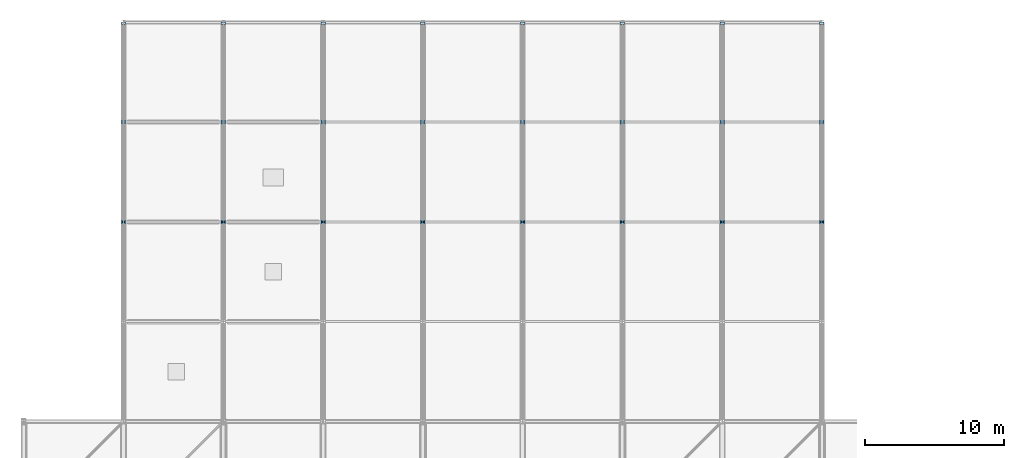
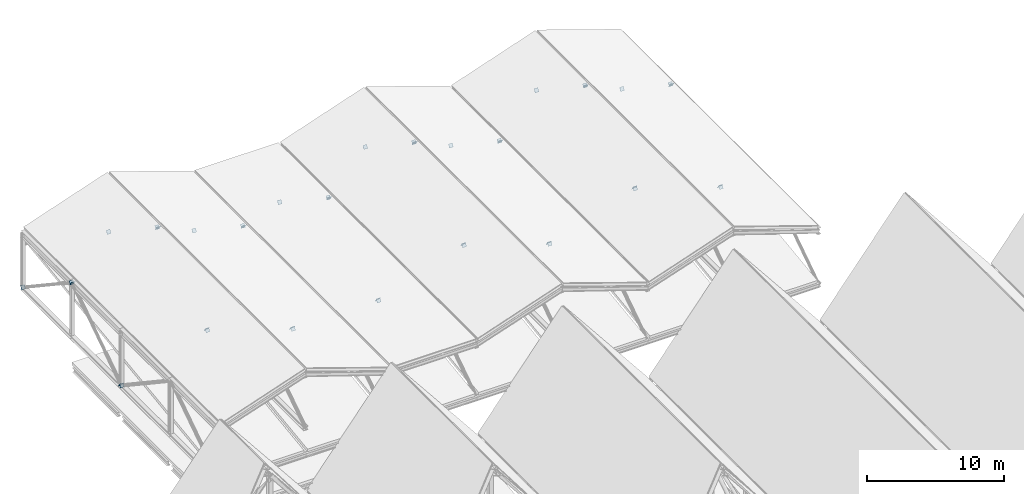
# One storey, part 53 of 60: 40 plates.
"""IFC4 building model written with IfcOpenShell, lengths in metres."""

from ifc_helpers import new_model, si_unit, direction, frame, origin, origin_2d, place, context, subcontext, project, spatial, rectangle, extrude, material, layer, layer_set, type_object, element, save


model = new_model("IFC4")

# Units and contexts
model_context = context("Model", 3, precision=1e-05, world=origin(), true_north=direction((0.0, 1.0)))
body_context = subcontext(model_context, "Body", "Model", "MODEL_VIEW")
ifc_project = project(units=[si_unit("LENGTHUNIT", "METRE"), si_unit("AREAUNIT", "SQUARE_METRE"), si_unit("VOLUMEUNIT", "CUBIC_METRE"), si_unit("PLANEANGLEUNIT", "RADIAN"), si_unit("MASSUNIT", "GRAM", prefix="KILO")], contexts=[model_context])

# Site, building, storey
site_placement = place(None, origin())
site = spatial("IfcSite", under=ifc_project, at=site_placement, CompositionType="ELEMENT")
building_placement = place(site_placement, origin())
building = spatial("IfcBuilding", under=site, at=building_placement, Name="Vesperath Aquatics Centre", CompositionType="ELEMENT")
storey_placement = place(building_placement, frame((0.0, 0.0, 27.60009765625)))
storey = spatial("IfcBuildingStorey", under=building, at=storey_placement, Name="RF", CompositionType="ELEMENT", Elevation=27.60009765625)

# Plates
ifc_material = material(Name="Steel Q355D", Category="steel")
ifc_layer = layer(ifc_material, 0.02001953125)
ifc_layer_set = layer_set([ifc_layer], Name="Steel Q355D")
plate_type = type_object("IfcPlateType", Name="PT-TN02", PredefinedType="SHEET", material=ifc_layer_set)
for number, where, z_axis, x_axis, name in (
    (1, (7.199951171875, 100.7333984375, -5.95556640625), (0.0, 0.832050294338, -0.554700196225), (-1.0, 0.0, 0.0), "Truss Node Cap Plate TN02"),
    (2, (7.199951171875, 100.849853515625, -5.966796875), (0.0, 0.832050294338, 0.554700196225), (-1.0, 0.0, 0.0), "Truss Node Cap Plate TN02"),
    (3, (7.199951171875, 107.933349609375, -1.24462890625), (0.0, 0.832050294338, 0.554700196225), (-1.0, 0.0, 0.0), "Truss Node Cap Plate TN02"),
    (4, (7.199951171875, 108.050048828125, -1.2333984375), (0.0, 0.832050294338, -0.554700196225), (-1.0, 0.0, 0.0), "Truss Node Cap Plate TN02"),
    (5, (7.199951171875, 115.133544921875, -5.95556640625), (0.0, 0.832050294338, -0.554700196225), (-1.0, 0.0, 0.0), "Truss Node Cap Plate TN02"),
    (6, (14.39990234375, 100.7333984375, -3.5556640625), (0.0, 0.832050294338, -0.554700196225), (-1.0, 0.0, 0.0), "Truss Node Cap Plate TN02"),
    (7, (14.39990234375, 100.849853515625, -3.56689453125), (0.0, 0.832050294338, 0.554700196225), (-1.0, 0.0, 0.0), "Truss Node Cap Plate TN02"),
    (8, (14.39990234375, 107.933349609375, 1.155517578125), (0.0, 0.832050294338, 0.554700196225), (-1.0, 0.0, 0.0), "Truss Node Cap Plate TN02"),
    (9, (14.39990234375, 108.050048828125, 1.166748046875), (0.0, 0.832050294338, -0.554700196225), (-1.0, 0.0, 0.0), "Truss Node Cap Plate TN02"),
    (10, (14.39990234375, 115.133544921875, -3.5556640625), (0.0, 0.832050294338, -0.554700196225), (-1.0, 0.0, 0.0), "Truss Node Cap Plate TN02"),
    (11, (21.60009765625, 100.7333984375, -5.95556640625), (0.0, 0.832050294338, -0.554700196225), (-1.0, 0.0, 0.0), "Truss Node Cap Plate TN02"),
    (12, (21.60009765625, 100.849853515625, -5.966796875), (0.0, 0.832050294338, 0.554700196225), (-1.0, 0.0, 0.0), "Truss Node Cap Plate TN02"),
    (13, (21.60009765625, 107.933349609375, -1.24462890625), (0.0, 0.832050294338, 0.554700196225), (-1.0, 0.0, 0.0), "Truss Node Cap Plate TN02"),
    (14, (21.60009765625, 108.050048828125, -1.2333984375), (0.0, 0.832050294338, -0.554700196225), (-1.0, 0.0, 0.0), "Truss Node Cap Plate TN02"),
    (15, (21.60009765625, 115.133544921875, -5.95556640625), (0.0, 0.832050294338, -0.554700196225), (-1.0, 0.0, 0.0), "Truss Node Cap Plate TN02"),
    (16, (28.800048828125, 100.7333984375, -5.95556640625), (0.0, 0.832050294338, -0.554700196225), (-1.0, 0.0, 0.0), "Truss Node Cap Plate TN02"),
    (17, (28.800048828125, 100.849853515625, -5.966796875), (0.0, 0.832050294338, 0.554700196225), (-1.0, 0.0, 0.0), "Truss Node Cap Plate TN02"),
    (18, (28.800048828125, 107.933349609375, -1.24462890625), (0.0, 0.832050294338, 0.554700196225), (-1.0, 0.0, 0.0), "Truss Node Cap Plate TN02"),
    (19, (28.800048828125, 108.050048828125, -1.2333984375), (0.0, 0.832050294338, -0.554700196225), (-1.0, 0.0, 0.0), "Truss Node Cap Plate TN02"),
    (20, (28.800048828125, 115.133544921875, -5.95556640625), (0.0, 0.832050294338, -0.554700196225), (-1.0, 0.0, 0.0), "Truss Node Cap Plate TN02"),
    (21, (36.0, 100.7333984375, -3.5556640625), (0.0, 0.832050294338, -0.554700196225), (-1.0, 0.0, 0.0), "Truss Node Cap Plate TN02"),
    (22, (36.0, 100.849853515625, -3.56689453125), (0.0, 0.832050294338, 0.554700196225), (-1.0, 0.0, 0.0), "Truss Node Cap Plate TN02"),
    (23, (36.0, 107.933349609375, 1.155517578125), (0.0, 0.832050294338, 0.554700196225), (-1.0, 0.0, 0.0), "Truss Node Cap Plate TN02"),
    (24, (36.0, 108.050048828125, 1.166748046875), (0.0, 0.832050294338, -0.554700196225), (-1.0, 0.0, 0.0), "Truss Node Cap Plate TN02"),
    (25, (36.0, 115.133544921875, -3.5556640625), (0.0, 0.832050294338, -0.554700196225), (-1.0, 0.0, 0.0), "Truss Node Cap Plate TN02"),
    (26, (43.199951171875, 100.7333984375, -5.95556640625), (0.0, 0.832050294338, -0.554700196225), (-1.0, 0.0, 0.0), "Truss Node Cap Plate TN02"),
    (27, (43.199951171875, 100.849853515625, -5.966796875), (0.0, 0.832050294338, 0.554700196225), (-1.0, 0.0, 0.0), "Truss Node Cap Plate TN02"),
    (28, (43.199951171875, 107.933349609375, -1.24462890625), (0.0, 0.832050294338, 0.554700196225), (-1.0, 0.0, 0.0), "Truss Node Cap Plate TN02"),
    (29, (43.199951171875, 108.050048828125, -1.2333984375), (0.0, 0.832050294338, -0.554700196225), (-1.0, 0.0, 0.0), "Truss Node Cap Plate TN02"),
    (30, (43.199951171875, 115.133544921875, -5.95556640625), (0.0, 0.832050294338, -0.554700196225), (-1.0, 0.0, 0.0), "Truss Node Cap Plate TN02"),
    (31, (50.39990234375, 100.7333984375, -3.5556640625), (0.0, 0.832050294338, -0.554700196225), (-1.0, 0.0, 0.0), "Truss Node Cap Plate TN02"),
    (32, (50.39990234375, 100.849853515625, -3.56689453125), (0.0, 0.832050294338, 0.554700196225), (-1.0, 0.0, 0.0), "Truss Node Cap Plate TN02"),
    (33, (50.39990234375, 107.933349609375, 1.155517578125), (0.0, 0.832050294338, 0.554700196225), (-1.0, 0.0, 0.0), "Truss Node Cap Plate TN02"),
    (34, (50.39990234375, 108.050048828125, 1.166748046875), (0.0, 0.832050294338, -0.554700196225), (-1.0, 0.0, 0.0), "Truss Node Cap Plate TN02"),
    (35, (50.39990234375, 115.133544921875, -3.5556640625), (0.0, 0.832050294338, -0.554700196225), (-1.0, 0.0, 0.0), "Truss Node Cap Plate TN02"),
    (36, (57.60009765625, 100.7333984375, -5.95556640625), (0.0, 0.832050294338, -0.554700196225), (-1.0, 0.0, 0.0), "Truss Node Cap Plate TN02"),
    (37, (57.60009765625, 100.849853515625, -5.966796875), (0.0, 0.832050294338, 0.554700196225), (-1.0, 0.0, 0.0), "Truss Node Cap Plate TN02"),
    (38, (57.60009765625, 107.933349609375, -1.24462890625), (0.0, 0.832050294338, 0.554700196225), (-1.0, 0.0, 0.0), "Truss Node Cap Plate TN02"),
    (39, (57.60009765625, 108.050048828125, -1.2333984375), (0.0, 0.832050294338, -0.554700196225), (-1.0, 0.0, 0.0), "Truss Node Cap Plate TN02"),
    (40, (57.60009765625, 115.133544921875, -5.95556640625), (0.0, 0.832050294338, -0.554700196225), (-1.0, 0.0, 0.0), "Truss Node Cap Plate TN02"),
):
    element("IfcPlate", number, at=place(storey_placement, frame(where, z_axis=z_axis, x_axis=x_axis)), inside=storey, type_object=plate_type, Name=name, PredefinedType="SHEET", context=body_context, shape_type="SweptSolid", body=[
        extrude(rectangle(XDim=0.320068359375, YDim=0.320068359375, at=origin_2d()), origin(), (0.0, 0.0, 1.0), 0.02001953125),
    ])

save(model, "model.ifc")
